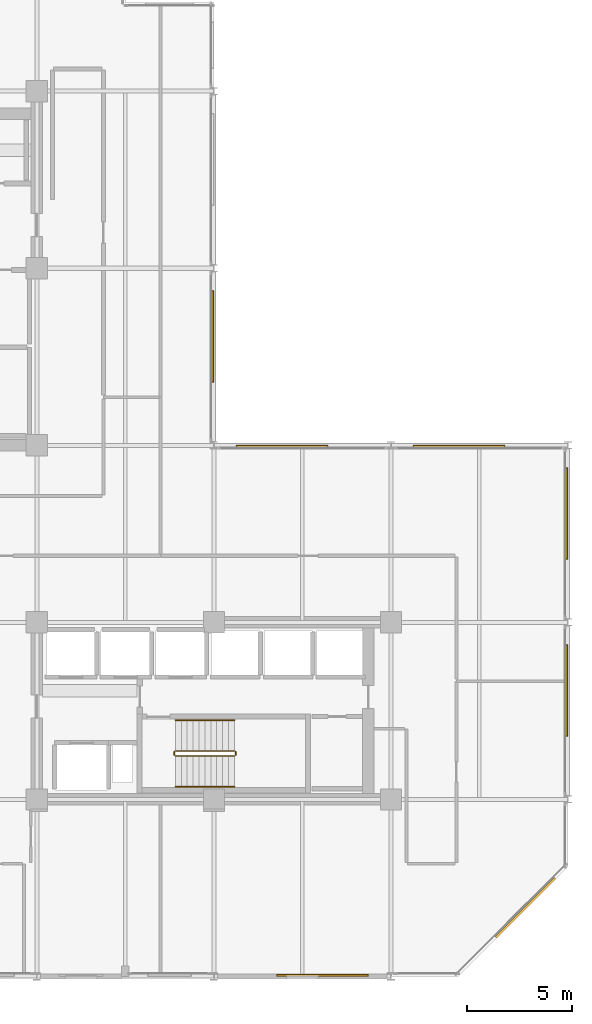
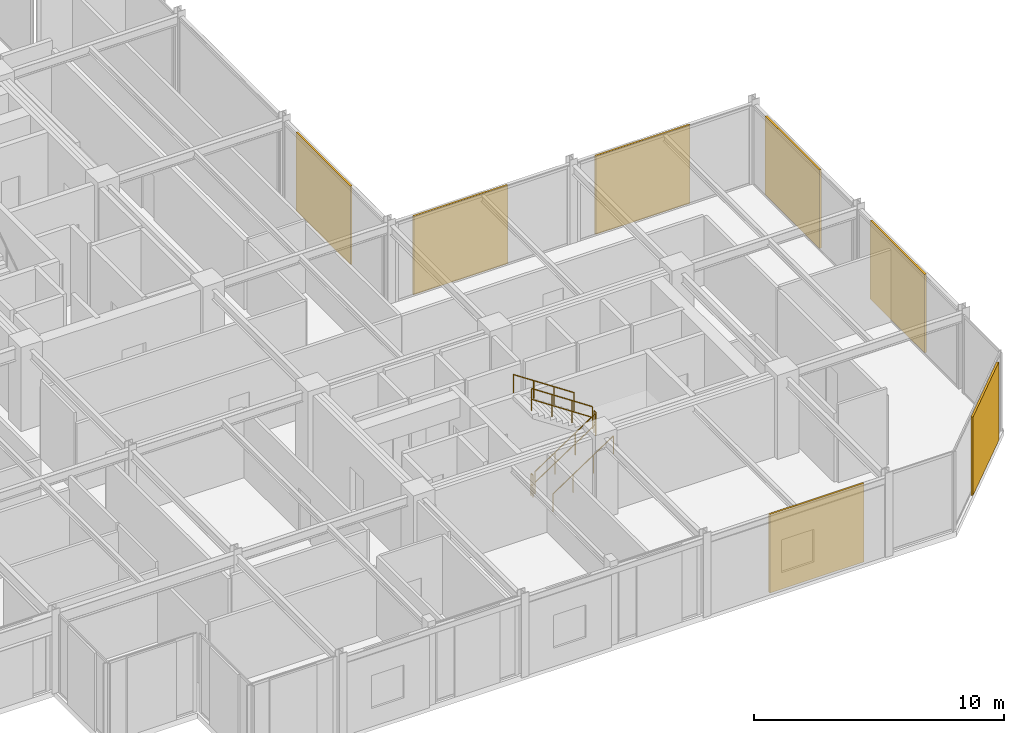
# One storey, part 28 of 29: 7 coverings, 6 railings.
"""IFC4 building model written with IfcOpenShell, lengths in metres."""

from ifc_helpers import new_model, si_unit, direction, frame, origin, origin_2d, place, context, subcontext, project, spatial, rectangle, circle, extrude, material, layer, layer_set, type_object, element, save


model = new_model("IFC4")

# Units and contexts
model_context = context("Model", 3, precision=1e-05, world=origin(), true_north=direction((0.0, 1.0)))
body_context = subcontext(model_context, "Body", "Model", "MODEL_VIEW")
ifc_project = project(units=[si_unit("LENGTHUNIT", "METRE"), si_unit("AREAUNIT", "SQUARE_METRE"), si_unit("VOLUMEUNIT", "CUBIC_METRE"), si_unit("PLANEANGLEUNIT", "RADIAN"), si_unit("MASSUNIT", "GRAM", prefix="KILO")], contexts=[model_context])

# Site, building, storey
site_placement = place(None, origin())
site = spatial("IfcSite", under=ifc_project, at=site_placement, CompositionType="ELEMENT")
building_placement = place(site_placement, origin())
building = spatial("IfcBuilding", under=site, at=building_placement, Name="Nerrivon Quay Data Exchange", CompositionType="ELEMENT")
storey_placement = place(building_placement, frame((0.0, 0.0, 208.300048828125)))
storey = spatial("IfcBuildingStorey", under=building, at=storey_placement, Name="L49", CompositionType="ELEMENT", Elevation=208.300048828125)

# Coverings
ifc_material_1 = material(Name="Architectural terracotta ceramic", Category="masonry")
ifc_layer = layer(ifc_material_1, 0.090087890625)
ifc_layer_set = layer_set([ifc_layer], Name="Architectural terracotta ceramic")
covering_type = type_object("IfcCoveringType", Name="COV-SCR-TERR", PredefinedType="CLADDING", material=ifc_layer_set)
for number, where, z_axis, x_axis, name in (
    (1, (25.155029296875, 30.365966796875, 0.0), (0.0, 0.0, 1.0), (0.0, -1.0, 0.0), "L49 Perforated Terracotta SOLAR SCREEN Cassette"),
    (2, (28.43408203125, 25.155029296875, 0.0), (0.0, 0.0, 1.0), (1.0, 0.0, 0.0), "L49 Perforated Terracotta SOLAR SCREEN Cassette"),
    (3, (36.833984375, 25.155029296875, 0.0), (0.0, 0.0, 1.0), (1.0, 0.0, 0.0), "L49 Perforated Terracotta SOLAR SCREEN Cassette"),
    (4, (41.955078125, 21.966064453125, 0.0), (0.0, 0.0, 1.0), (0.0, -1.0, 0.0), "L49 Perforated Terracotta SOLAR SCREEN Cassette"),
    (5, (41.955078125, 13.56591796875, 0.0), (0.0, 0.0, 1.0), (0.0, -1.0, 0.0), "L49 Perforated Terracotta SOLAR SCREEN Cassette"),
):
    element("IfcCovering", number, at=place(storey_placement, frame(where, z_axis=z_axis, x_axis=x_axis)), inside=storey, type_object=covering_type, Name=name, PredefinedType="CLADDING", context=body_context, shape_type="SweptSolid", body=[
        extrude(rectangle(XDim=4.346923828125, YDim=0.090087890625, at=origin_2d()), origin(), (0.0, 0.0, 1.0), 3.824951171875),
    ])
covering_1_placement = place(storey_placement, frame((39.9921875, 3.255859375, 0.0), z_axis=(0.0, 0.0, 1.0), x_axis=(-0.707106781187, -0.707106781187, 0.0)))
element("IfcCovering", 6, at=covering_1_placement, inside=storey, type_object=covering_type, Name="L49 Perforated Terracotta SOLAR SCREEN Cassette", PredefinedType="CLADDING", context=body_context, shape_type="SweptSolid", body=[
    extrude(rectangle(XDim=3.970947265625, YDim=0.090087890625, at=origin_2d()), origin(), (0.0, 0.0, 1.0), 3.824951171875),
])
covering_2_placement = place(storey_placement, frame((30.365966796875, 0.044921875, 0.0), z_axis=(0.0, 0.0, 1.0), x_axis=(-1.0, 0.0, 0.0)))
element("IfcCovering", 7, at=covering_2_placement, inside=storey, type_object=covering_type, Name="L49 Perforated Terracotta SOLAR SCREEN Cassette", PredefinedType="CLADDING", context=body_context, shape_type="SweptSolid", body=[
    extrude(rectangle(XDim=4.346923828125, YDim=0.090087890625, at=origin_2d()), origin(), (0.0, 0.0, 1.0), 3.824951171875),
])

# Railings
ifc_material_2 = material(Name="Steel Grade C350L0 (350 MPa)", Category="steel")
railing_type_1 = type_object("IfcRailingType", Name="RAIL-HAND-HR1", PredefinedType="HANDRAIL", material=ifc_material_2)
railing_1_placement = place(storey_placement, frame((23.3798828125, 9.0, 0.186279296875)))
element("IfcRailing", 8, at=railing_1_placement, inside=storey, type_object=railing_type_1, Name="L49 ST02 stair handrail 1", PredefinedType="HANDRAIL", context=body_context, shape_type="SweptSolid", body=[
    extrude(circle(Radius=0.02392578125, at=origin_2d()), frame((0.0, 0.0, 0.8759765625), z_axis=(0.832452072856, 0.0, 0.554097055034), x_axis=(0.0, 1.0, 0.0)), (0.0, 0.0, 1.0), 3.363525390625),
    extrude(circle(Radius=0.02099609375, at=origin_2d()), origin(), (0.0, 0.0, 1.0), 0.851806640625),
    extrude(circle(Radius=0.02099609375, at=origin_2d()), frame((0.933349609375, 0.0, 0.621337890625)), (0.0, 0.0, 1.0), 0.851806640625),
    extrude(circle(Radius=0.02099609375, at=origin_2d()), frame((1.86669921875, 0.0, 1.242431640625)), (0.0, 0.0, 1.0), 0.851806640625),
    extrude(circle(Radius=0.02099609375, at=origin_2d()), frame((2.800048828125, 0.0, 1.86376953125)), (0.0, 0.0, 1.0), 0.851806640625),
])
railing_2_placement = place(storey_placement, frame((26.179931640625, 12.14990234375, 2.236328125)))
element("IfcRailing", 9, at=railing_2_placement, inside=storey, type_object=railing_type_1, Name="L49 ST02 stair handrail 2", PredefinedType="HANDRAIL", context=body_context, shape_type="SweptSolid", body=[
    extrude(circle(Radius=0.02392578125, at=origin_2d()), frame((0.0, 0.0, 0.8759765625), z_axis=(-0.832485552168, 0.0, 0.554046753832), x_axis=(0.0, -1.0, 0.0)), (0.0, 0.0, 1.0), 3.363525390625),
    extrude(circle(Radius=0.02099609375, at=origin_2d()), origin(), (0.0, 0.0, 1.0), 0.851806640625),
    extrude(circle(Radius=0.02099609375, at=origin_2d()), frame((-0.933349609375, 0.0, 0.62109375)), (0.0, 0.0, 1.0), 0.851806640625),
    extrude(circle(Radius=0.02099609375, at=origin_2d()), frame((-1.86669921875, 0.0, 1.242431640625)), (0.0, 0.0, 1.0), 0.851806640625),
    extrude(circle(Radius=0.02099609375, at=origin_2d()), frame((-2.800048828125, 0.0, 1.863525390625)), (0.0, 0.0, 1.0), 0.851806640625),
])
railing_type_2 = type_object("IfcRailingType", Name="RAIL-STAIR-GR1", PredefinedType="BALUSTRADE", material=ifc_material_2)
railing_3_placement = place(storey_placement, frame((23.3798828125, 10.449951171875, 0.186279296875)))
element("IfcRailing", 10, at=railing_3_placement, inside=storey, type_object=railing_type_2, Name="L49 ST02 stair guard 1", PredefinedType="BALUSTRADE", context=body_context, shape_type="SweptSolid", body=[
    extrude(circle(Radius=0.02392578125, at=origin_2d()), frame((0.0, 0.0, 1.076171875), z_axis=(0.832452072856, 0.0, 0.554097055034), x_axis=(0.0, 1.0, 0.0)), (0.0, 0.0, 1.0), 3.363525390625),
    extrude(circle(Radius=0.02392578125, at=origin_2d()), frame((0.0, 0.0, 0.550048828125), z_axis=(0.832452072856, 0.0, 0.554097055034), x_axis=(0.0, 1.0, 0.0)), (0.0, 0.0, 1.0), 3.363525390625),
    extrude(circle(Radius=0.02099609375, at=origin_2d()), origin(), (0.0, 0.0, 1.0), 1.052001953125),
    extrude(circle(Radius=0.02099609375, at=origin_2d()), frame((0.933349609375, 0.0, 0.621337890625)), (0.0, 0.0, 1.0), 1.052001953125),
    extrude(circle(Radius=0.02099609375, at=origin_2d()), frame((1.86669921875, 0.0, 1.242431640625)), (0.0, 0.0, 1.0), 1.052001953125),
    extrude(circle(Radius=0.02099609375, at=origin_2d()), frame((2.800048828125, 0.0, 1.86376953125)), (0.0, 0.0, 1.0), 1.052001953125),
])
railing_4_placement = place(storey_placement, frame((26.22998046875, 10.5, 2.050048828125)))
element("IfcRailing", 11, at=railing_4_placement, inside=storey, type_object=railing_type_2, Name="L49 ST02 stair guard 2", PredefinedType="BALUSTRADE", context=body_context, shape_type="SweptSolid", body=[
    extrude(circle(Radius=0.02392578125, at=origin_2d()), frame((0.0, 0.0, 1.076171875), z_axis=(0.0, 1.0, 0.0), x_axis=(-1.0, 0.0, 0.0)), (0.0, 0.0, 1.0), 0.14990234375),
    extrude(circle(Radius=0.02392578125, at=origin_2d()), frame((0.0, 0.0, 0.550048828125), z_axis=(0.0, 1.0, 0.0), x_axis=(-1.0, 0.0, 0.0)), (0.0, 0.0, 1.0), 0.14990234375),
    extrude(circle(Radius=0.02099609375, at=origin_2d()), origin(), (0.0, 0.0, 1.0), 1.052001953125),
    extrude(circle(Radius=0.02099609375, at=origin_2d()), frame((0.0, 0.14990234375, 0.0)), (0.0, 0.0, 1.0), 1.052001953125),
])
railing_5_placement = place(storey_placement, frame((26.179931640625, 10.699951171875, 2.236328125)))
element("IfcRailing", 12, at=railing_5_placement, inside=storey, type_object=railing_type_2, Name="L49 ST02 stair guard 3", PredefinedType="BALUSTRADE", context=body_context, shape_type="SweptSolid", body=[
    extrude(circle(Radius=0.02392578125, at=origin_2d()), frame((0.0, 0.0, 1.076171875), z_axis=(-0.832485552168, 0.0, 0.554046753832), x_axis=(0.0, -1.0, 0.0)), (0.0, 0.0, 1.0), 3.363525390625),
    extrude(circle(Radius=0.02392578125, at=origin_2d()), frame((0.0, 0.0, 0.550048828125), z_axis=(-0.832485552168, 0.0, 0.554046753832), x_axis=(0.0, -1.0, 0.0)), (0.0, 0.0, 1.0), 3.363525390625),
    extrude(circle(Radius=0.02099609375, at=origin_2d()), origin(), (0.0, 0.0, 1.0), 1.052001953125),
    extrude(circle(Radius=0.02099609375, at=origin_2d()), frame((-0.933349609375, 0.0, 0.62109375)), (0.0, 0.0, 1.0), 1.052001953125),
    extrude(circle(Radius=0.02099609375, at=origin_2d()), frame((-1.86669921875, 0.0, 1.242431640625)), (0.0, 0.0, 1.0), 1.052001953125),
    extrude(circle(Radius=0.02099609375, at=origin_2d()), frame((-2.800048828125, 0.0, 1.863525390625)), (0.0, 0.0, 1.0), 1.052001953125),
])
railing_6_placement = place(storey_placement, frame((23.330078125, 10.5, 0.0)))
element("IfcRailing", 13, at=railing_6_placement, inside=storey, type_object=railing_type_2, Name="L49 ST02 stair guard 4", PredefinedType="BALUSTRADE", context=body_context, shape_type="SweptSolid", body=[
    extrude(circle(Radius=0.02392578125, at=origin_2d()), frame((0.0, 0.0, 1.076171875), z_axis=(0.0, 1.0, 0.0), x_axis=(-1.0, 0.0, 0.0)), (0.0, 0.0, 1.0), 0.14990234375),
    extrude(circle(Radius=0.02392578125, at=origin_2d()), frame((0.0, 0.0, 0.550048828125), z_axis=(0.0, 1.0, 0.0), x_axis=(-1.0, 0.0, 0.0)), (0.0, 0.0, 1.0), 0.14990234375),
    extrude(circle(Radius=0.02099609375, at=origin_2d()), origin(), (0.0, 0.0, 1.0), 1.052001953125),
    extrude(circle(Radius=0.02099609375, at=origin_2d()), frame((0.0, 0.14990234375, 0.0)), (0.0, 0.0, 1.0), 1.052001953125),
])

save(model, "model.ifc")
